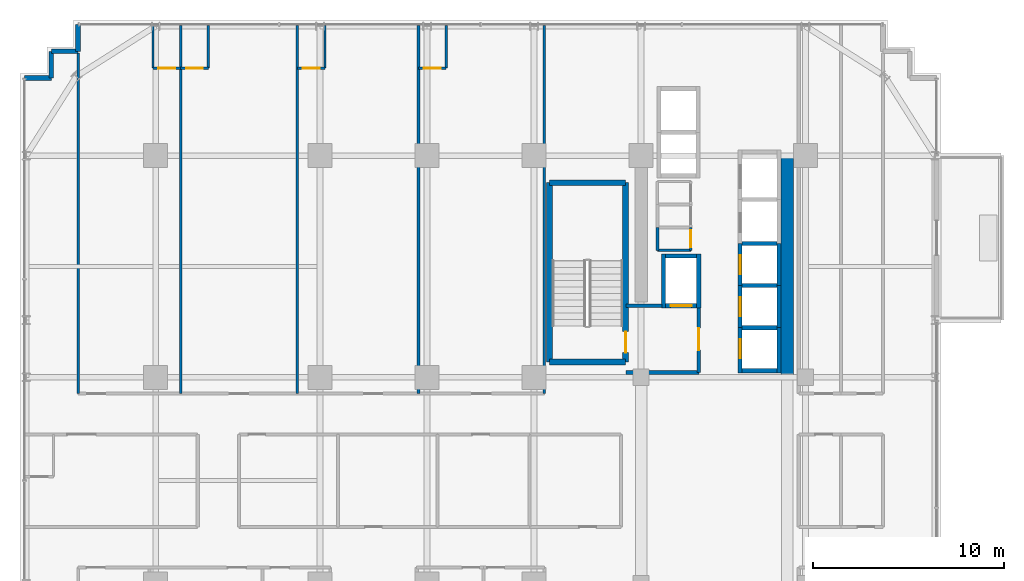
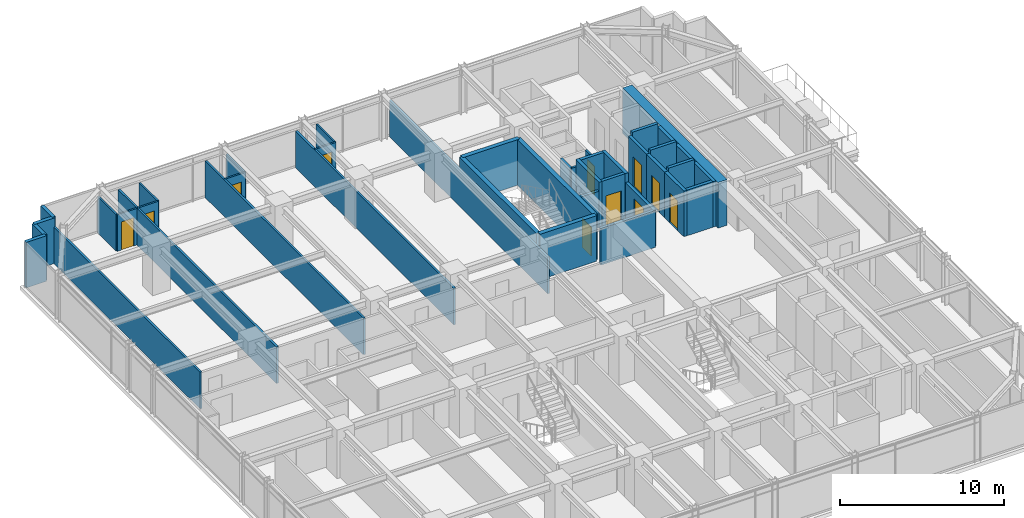
# One storey, part 29 of 33: 42 walls, 11 doors, 11 openings.
"""IFC4 building model written with IfcOpenShell, lengths in metres."""

from ifc_helpers import new_model, si_unit, direction, frame, frame_2d, origin, place, context, subcontext, project, spatial, rectangle, extrude, source, transform, mapped, material, layer, layer_set, type_object, element, fill, save


model = new_model("IFC4")

# Units and contexts
model_context = context("Model", 3, precision=1e-05, world=origin(), true_north=direction((0.0, 1.0)))
body_context = subcontext(model_context, "Body", "Model", "MODEL_VIEW")
ifc_project = project(units=[si_unit("LENGTHUNIT", "METRE"), si_unit("AREAUNIT", "SQUARE_METRE"), si_unit("VOLUMEUNIT", "CUBIC_METRE"), si_unit("PLANEANGLEUNIT", "RADIAN"), si_unit("MASSUNIT", "GRAM", prefix="KILO")], contexts=[model_context])

# Site, building, storey
site_placement = place(None, origin())
site = spatial("IfcSite", under=ifc_project, at=site_placement, CompositionType="ELEMENT")
building_placement = place(site_placement, origin())
building = spatial("IfcBuilding", under=site, at=building_placement, Name="Nahalor Promenade Grand Hotel", CompositionType="ELEMENT")
storey_placement = place(building_placement, frame((0.0, 0.0, 132.10009765625)))
storey = spatial("IfcBuildingStorey", under=building, at=storey_placement, Name="L33", CompositionType="ELEMENT", Elevation=132.10009765625)

# Walls
ifc_material_1 = material(Name="Concrete B-60 (C50/60)", Category="concrete")
ifc_layer_1 = layer(ifc_material_1, 0.64990234375)
ifc_layer_set_1 = layer_set([ifc_layer_1], Name="Concrete B-60 (C50/60)")
wall_type_1 = type_object("IfcWallType", Name="Wall-CoreShear-650", PredefinedType="SHEAR", material=ifc_layer_set_1)
shared_shape_1 = source(origin(), body_context, "Body", "SweptSolid", [
    extrude(rectangle(XDim=11.60009765625, YDim=0.64990234375, at=frame_2d((5.800048828125, 0.0))), origin(), (0.0, 0.0, 1.0), 3.3798828125),
])
wall_1_placement = place(storey_placement, frame((16.050048828125, 5.39990234375, 0.0), z_axis=(0.0, 0.0, 1.0), x_axis=(0.0, 1.0, 0.0)))
element("IfcWall", 1, at=wall_1_placement, inside=storey, type_object=wall_type_1, Name="CWALL-L33-NE", PredefinedType="SHEAR", context=body_context, shape_type="MappedRepresentation", body=[
    mapped(shared_shape_1, transform((0.0, 0.0, 0.0), scale=1.0)),
])
ifc_material_2 = material(Name="Concrete B-50 (C40/50)", Category="concrete")
ifc_layer_2 = layer(ifc_material_2, 0.300048828125)
ifc_layer_set_2 = layer_set([ifc_layer_2], Name="Concrete B-50 (C40/50)")
wall_type_2 = type_object("IfcWallType", Name="Wall-ShaftShear-300", PredefinedType="SHEAR", material=ifc_layer_set_2)
shared_shape_2 = source(origin(), body_context, "Body", "SweptSolid", [
    extrude(rectangle(XDim=3.97998046875, YDim=0.300048828125, at=frame_2d((1.989990234375, 0.0))), origin(), (0.0, 0.0, 1.0), 3.3798828125),
])
for number, where, z_axis, x_axis, name in (
    (2, (3.610107421875, 6.2099609375, 0.0), (0.0, 0.0, 1.0), (1.0, 0.0, 0.0), "L33 Exit Stair ST1 Shaft Wall S"),
    (3, (3.610107421875, 15.590087890625, 0.0), (0.0, 0.0, 1.0), (1.0, 0.0, 0.0), "L33 Exit Stair ST1 Shaft Wall N"),
):
    element("IfcWall", number, at=place(storey_placement, frame(where, z_axis=z_axis, x_axis=x_axis)), inside=storey, type_object=wall_type_2, Name=name, PredefinedType="SHEAR", context=body_context, shape_type="MappedRepresentation", body=[
        mapped(shared_shape_2, transform((0.0, 0.0, 0.0), scale=1.0)),
    ])
shared_shape_3 = source(origin(), body_context, "Body", "SweptSolid", [
    extrude(rectangle(XDim=9.380126953125, YDim=0.300048828125, at=frame_2d((4.68994140625, 0.0))), origin(), (0.0, 0.0, 1.0), 3.3798828125),
])
wall_2_placement = place(storey_placement, frame((3.610107421875, 6.2099609375, 0.0), z_axis=(0.0, 0.0, 1.0), x_axis=(0.0, 1.0, 0.0)))
element("IfcWall", 4, at=wall_2_placement, inside=storey, type_object=wall_type_2, Name="L33 Exit Stair ST1 Shaft Wall W", PredefinedType="SHEAR", context=body_context, shape_type="MappedRepresentation", body=[
    mapped(shared_shape_3, transform((0.0, 0.0, 0.0), scale=1.0)),
])

# Wall, opening, door
wall_3_placement = place(storey_placement, frame((7.590087890625, 6.2099609375, 0.0), z_axis=(0.0, 0.0, 1.0), x_axis=(0.0, 1.0, 0.0)))
wall_3 = element("IfcWall", 5, at=wall_3_placement, inside=storey, type_object=wall_type_2, Name="L33 Exit Stair ST1 Shaft Wall E", PredefinedType="SHEAR", context=body_context, shape_type="MappedRepresentation", body=[
    mapped(shared_shape_3, transform((0.0, 0.0, 0.0), scale=1.0)),
])
opening_1_placement = place(wall_3_placement, frame((0.489990234375, 0.0, 0.0)))
opening_1 = element("IfcOpeningElement", 6, at=opening_1_placement, cuts=wall_3, Name="Opening D-ST1", PredefinedType="OPENING", context=body_context, shape_type="SweptSolid", body=[
    extrude(rectangle(XDim=1.10009765625, YDim=2.14990234375, at=frame_2d((0.550048828125, 1.074951171875))), frame((0.0, 0.159912109375, 0.0), z_axis=(0.0, -1.0, 0.0), x_axis=(1.0, 0.0, 0.0)), (0.0, 0.0, 1.0), 0.320068359375),
])
ifc_material_3 = material(Name="Steel S355JR", Category="steel")
door_type_1 = type_object("IfcDoorType", Name="Door-StairFire-1100", OperationType="NOTDEFINED", PredefinedType="DOOR", material=ifc_material_3)
shared_shape_4 = source(origin(), body_context, "Body", "SweptSolid", [
    extrude(rectangle(XDim=1.10009765625, YDim=2.14990234375, at=frame_2d((0.550048828125, 1.074951171875))), frame((0.0, 0.02490234375, 0.0), z_axis=(0.0, -1.0, 0.0), x_axis=(1.0, 0.0, 0.0)), (0.0, 0.0, 1.0), 0.050048828125),
])
door_1_placement = place(opening_1_placement, origin())
door_1 = element("IfcDoor", 7, at=door_1_placement, inside=storey, type_object=door_type_1, Name="DR-STAIR-ST1-L33", OperationType="SINGLE_SWING_RIGHT", OverallHeight=2.14990234375, OverallWidth=1.10009765625, PredefinedType="DOOR", context=body_context, shape_type="MappedRepresentation", body=[
    mapped(shared_shape_4, transform((0.0, 0.0, 0.0), scale=1.0)),
])
fill(opening_1, door_1)

# Walls
ifc_layer_3 = layer(ifc_material_2, 0.219970703125)
ifc_layer_set_3 = layer_set([ifc_layer_3], Name="Concrete B-50 (C40/50)")
wall_type_3 = type_object("IfcWallType", Name="Wall-LiftShaft-220", PredefinedType="SHEAR", material=ifc_layer_set_3)
shared_shape_5 = source(origin(), body_context, "Body", "SweptSolid", [
    extrude(rectangle(XDim=1.820068359375, YDim=0.219970703125, at=frame_2d((0.91015625, 0.0))), origin(), (0.0, 0.0, 1.0), 3.64990234375),
])
for number, where, z_axis, x_axis, name in (
    (8, (13.68994140625, 8.0, 0.0), (0.0, 0.0, 1.0), (1.0, 0.0, 0.0), "L33 Lift PL1 Hoistway Wall N"),
    (9, (13.68994140625, 10.199951171875, 0.0), (0.0, 0.0, 1.0), (1.0, 0.0, 0.0), "L33 Lift PL2 Hoistway Wall N"),
    (10, (13.68994140625, 12.39990234375, 0.0), (0.0, 0.0, 1.0), (1.0, 0.0, 0.0), "L33 Lift PL3 Hoistway Wall N"),
):
    element("IfcWall", number, at=place(storey_placement, frame(where, z_axis=z_axis, x_axis=x_axis)), inside=storey, type_object=wall_type_3, Name=name, PredefinedType="SHEAR", context=body_context, shape_type="MappedRepresentation", body=[
        mapped(shared_shape_5, transform((0.0, 0.0, 0.0), scale=1.0)),
    ])

# Wall, opening, door
shared_shape_6 = source(origin(), body_context, "Body", "SweptSolid", [
    extrude(rectangle(XDim=2.360107421875, YDim=0.219970703125, at=frame_2d((1.18017578125, 0.0))), origin(), (0.0, 0.0, 1.0), 3.3798828125),
])
wall_4_placement = place(storey_placement, frame((13.580078125, 5.639892578125, 0.0), z_axis=(0.0, 0.0, 1.0), x_axis=(0.0, 1.0, 0.0)))
wall_4 = element("IfcWall", 11, at=wall_4_placement, inside=storey, type_object=wall_type_3, Name="L33 Lift PL1 Hoistway Wall W", PredefinedType="SHEAR", context=body_context, shape_type="MappedRepresentation", body=[
    mapped(shared_shape_6, transform((0.0, 0.0, 0.0), scale=1.0)),
])
opening_2_placement = place(wall_4_placement, frame((0.760009765625, 0.0, 0.0)))
opening_2 = element("IfcOpeningElement", 12, at=opening_2_placement, cuts=wall_4, Name="Opening LD-01", PredefinedType="OPENING", context=body_context, shape_type="SweptSolid", body=[
    extrude(rectangle(XDim=1.0, YDim=2.199951171875, at=frame_2d((0.5, 1.10009765625))), frame((0.0, 0.119873046875, 0.0), z_axis=(0.0, -1.0, 0.0), x_axis=(1.0, 0.0, 0.0)), (0.0, 0.0, 1.0), 0.239990234375),
])
door_type_2 = type_object("IfcDoorType", Name="Door-LiftLanding-1000", OperationType="DOUBLE_DOOR_SLIDING", PredefinedType="DOOR", material=ifc_material_3)
shared_shape_7 = source(origin(), body_context, "Body", "SweptSolid", [
    extrude(rectangle(XDim=1.0, YDim=2.199951171875, at=frame_2d((0.5, 1.10009765625))), frame((0.0, 0.02490234375, 0.0), z_axis=(0.0, -1.0, 0.0), x_axis=(1.0, 0.0, 0.0)), (0.0, 0.0, 1.0), 0.050048828125),
])
door_2_placement = place(opening_2_placement, origin())
door_2 = element("IfcDoor", 13, at=door_2_placement, inside=storey, type_object=door_type_2, Name="DR-LIFT-PL1-L33", OperationType="DOUBLE_DOOR_SLIDING", OverallHeight=2.199951171875, OverallWidth=1.0, PredefinedType="DOOR", context=body_context, shape_type="MappedRepresentation", body=[
    mapped(shared_shape_7, transform((0.0, 0.0, 0.0), scale=1.0)),
])
fill(opening_2, door_2)

# Walls
wall_5_placement = place(storey_placement, frame((15.6201171875, 5.639892578125, 0.0), z_axis=(0.0, 0.0, 1.0), x_axis=(0.0, 1.0, 0.0)))
element("IfcWall", 14, at=wall_5_placement, inside=storey, type_object=wall_type_3, Name="L33 Lift PL1 Hoistway Wall E", PredefinedType="SHEAR", context=body_context, shape_type="MappedRepresentation", body=[
    mapped(shared_shape_6, transform((0.0, 0.0, 0.0), scale=1.0)),
])
shared_shape_8 = source(origin(), body_context, "Body", "SweptSolid", [
    extrude(rectangle(XDim=1.820068359375, YDim=0.219970703125, at=frame_2d((0.91015625, 0.0))), origin(), (0.0, 0.0, 1.0), 3.3798828125),
])
wall_6_placement = place(storey_placement, frame((13.68994140625, 5.75, 0.0), z_axis=(0.0, 0.0, 1.0), x_axis=(1.0, 0.0, 0.0)))
element("IfcWall", 15, at=wall_6_placement, inside=storey, type_object=wall_type_3, Name="L33 Lift PL1 Hoistway Wall S", PredefinedType="SHEAR", context=body_context, shape_type="MappedRepresentation", body=[
    mapped(shared_shape_8, transform((0.0, 0.0, 0.0), scale=1.0)),
])

# Wall, opening, door
shared_shape_9 = source(origin(), body_context, "Body", "SweptSolid", [
    extrude(rectangle(XDim=2.199951171875, YDim=0.219970703125, at=frame_2d((1.10009765625, 0.0))), origin(), (0.0, 0.0, 1.0), 3.3798828125),
])
wall_7_placement = place(storey_placement, frame((13.580078125, 8.0, 0.0), z_axis=(0.0, 0.0, 1.0), x_axis=(0.0, 1.0, 0.0)))
wall_7 = element("IfcWall", 16, at=wall_7_placement, inside=storey, type_object=wall_type_3, Name="L33 Lift PL2 Hoistway Wall W", PredefinedType="SHEAR", context=body_context, shape_type="MappedRepresentation", body=[
    mapped(shared_shape_9, transform((0.0, 0.0, 0.0), scale=1.0)),
])
opening_3_placement = place(wall_7_placement, frame((0.60009765625, 0.0, 0.0)))
opening_3 = element("IfcOpeningElement", 17, at=opening_3_placement, cuts=wall_7, Name="Opening LD-01", PredefinedType="OPENING", context=body_context, shape_type="SweptSolid", body=[
    extrude(rectangle(XDim=1.0, YDim=2.199951171875, at=frame_2d((0.5, 1.10009765625))), frame((0.0, 0.119873046875, 0.0), z_axis=(0.0, -1.0, 0.0), x_axis=(1.0, 0.0, 0.0)), (0.0, 0.0, 1.0), 0.239990234375),
])
door_3_placement = place(opening_3_placement, origin())
door_3 = element("IfcDoor", 18, at=door_3_placement, inside=storey, type_object=door_type_2, Name="DR-LIFT-PL2-L33", OperationType="DOUBLE_DOOR_SLIDING", OverallHeight=2.199951171875, OverallWidth=1.0, PredefinedType="DOOR", context=body_context, shape_type="MappedRepresentation", body=[
    mapped(shared_shape_7, transform((0.0, 0.0, 0.0), scale=1.0)),
])
fill(opening_3, door_3)

# Wall
wall_8_placement = place(storey_placement, frame((15.6201171875, 8.0, 0.0), z_axis=(0.0, 0.0, 1.0), x_axis=(0.0, 1.0, 0.0)))
element("IfcWall", 19, at=wall_8_placement, inside=storey, type_object=wall_type_3, Name="L33 Lift PL2 Hoistway Wall E", PredefinedType="SHEAR", context=body_context, shape_type="MappedRepresentation", body=[
    mapped(shared_shape_9, transform((0.0, 0.0, 0.0), scale=1.0)),
])

# Wall, opening, door
wall_9_placement = place(storey_placement, frame((13.580078125, 10.199951171875, 0.0), z_axis=(0.0, 0.0, 1.0), x_axis=(0.0, 1.0, 0.0)))
wall_9 = element("IfcWall", 20, at=wall_9_placement, inside=storey, type_object=wall_type_3, Name="L33 Lift PL3 Hoistway Wall W", PredefinedType="SHEAR", context=body_context, shape_type="MappedRepresentation", body=[
    mapped(shared_shape_9, transform((0.0, 0.0, 0.0), scale=1.0)),
])
opening_4_placement = place(wall_9_placement, frame((0.60009765625, 0.0, 0.0)))
opening_4 = element("IfcOpeningElement", 21, at=opening_4_placement, cuts=wall_9, Name="Opening LD-01", PredefinedType="OPENING", context=body_context, shape_type="SweptSolid", body=[
    extrude(rectangle(XDim=1.0, YDim=2.199951171875, at=frame_2d((0.5, 1.10009765625))), frame((0.0, 0.119873046875, 0.0), z_axis=(0.0, -1.0, 0.0), x_axis=(1.0, 0.0, 0.0)), (0.0, 0.0, 1.0), 0.239990234375),
])
door_4_placement = place(opening_4_placement, origin())
door_4 = element("IfcDoor", 22, at=door_4_placement, inside=storey, type_object=door_type_2, Name="DR-LIFT-PL3-L33", OperationType="DOUBLE_DOOR_SLIDING", OverallHeight=2.199951171875, OverallWidth=1.0, PredefinedType="DOOR", context=body_context, shape_type="MappedRepresentation", body=[
    mapped(shared_shape_7, transform((0.0, 0.0, 0.0), scale=1.0)),
])
fill(opening_4, door_4)

# Walls
wall_10_placement = place(storey_placement, frame((15.6201171875, 10.199951171875, 0.0), z_axis=(0.0, 0.0, 1.0), x_axis=(0.0, 1.0, 0.0)))
element("IfcWall", 23, at=wall_10_placement, inside=storey, type_object=wall_type_3, Name="L33 Lift PL3 Hoistway Wall E", PredefinedType="SHEAR", context=body_context, shape_type="MappedRepresentation", body=[
    mapped(shared_shape_9, transform((0.0, 0.0, 0.0), scale=1.0)),
])
shared_shape_10 = source(origin(), body_context, "Body", "SweptSolid", [
    extrude(rectangle(XDim=2.820068359375, YDim=0.219970703125, at=frame_2d((1.41015625, 0.0))), origin(), (0.0, 0.0, 1.0), 3.3798828125),
])
for number, where, z_axis, x_axis, name in (
    (24, (9.580078125, 9.0400390625, 0.0), (0.0, 0.0, 1.0), (0.0, 1.0, 0.0), "L33 Lift FL1 Hoistway Wall W"),
    (25, (11.419921875, 9.0400390625, 0.0), (0.0, 0.0, 1.0), (0.0, 1.0, 0.0), "L33 Lift FL1 Hoistway Wall E"),
):
    element("IfcWall", number, at=place(storey_placement, frame(where, z_axis=z_axis, x_axis=x_axis)), inside=storey, type_object=wall_type_3, Name=name, PredefinedType="SHEAR", context=body_context, shape_type="MappedRepresentation", body=[
        mapped(shared_shape_10, transform((0.0, 0.0, 0.0), scale=1.0)),
    ])

# Wall, opening, door
shared_shape_11 = source(origin(), body_context, "Body", "SweptSolid", [
    extrude(rectangle(XDim=1.6201171875, YDim=0.219970703125, at=frame_2d((0.81005859375, 0.0))), origin(), (0.0, 0.0, 1.0), 3.3798828125),
])
wall_11_placement = place(storey_placement, frame((9.68994140625, 9.14990234375, 0.0), z_axis=(0.0, 0.0, 1.0), x_axis=(1.0, 0.0, 0.0)))
wall_11 = element("IfcWall", 26, at=wall_11_placement, inside=storey, type_object=wall_type_3, Name="L33 Lift FL1 Hoistway Wall S", PredefinedType="SHEAR", context=body_context, shape_type="MappedRepresentation", body=[
    mapped(shared_shape_11, transform((0.0, 0.0, 0.0), scale=1.0)),
])
opening_5_placement = place(wall_11_placement, frame((0.260009765625, 0.0, 0.0)))
opening_5 = element("IfcOpeningElement", 27, at=opening_5_placement, cuts=wall_11, Name="Opening LD-02", PredefinedType="OPENING", context=body_context, shape_type="SweptSolid", body=[
    extrude(rectangle(XDim=1.10009765625, YDim=2.199951171875, at=frame_2d((0.550048828125, 1.10009765625))), frame((0.0, 0.119873046875, 0.0), z_axis=(0.0, -1.0, 0.0), x_axis=(1.0, 0.0, 0.0)), (0.0, 0.0, 1.0), 0.239990234375),
])
door_type_3 = type_object("IfcDoorType", Name="Door-LiftFF-1100", OperationType="DOUBLE_DOOR_SLIDING", PredefinedType="DOOR", material=ifc_material_3)
shared_shape_12 = source(origin(), body_context, "Body", "SweptSolid", [
    extrude(rectangle(XDim=1.10009765625, YDim=2.199951171875, at=frame_2d((0.550048828125, 1.10009765625))), frame((0.0, 0.02490234375, 0.0), z_axis=(0.0, -1.0, 0.0), x_axis=(1.0, 0.0, 0.0)), (0.0, 0.0, 1.0), 0.050048828125),
])
door_5_placement = place(opening_5_placement, frame((1.10009765625, 0.0, 0.0), z_axis=(0.0, 0.0, 1.0), x_axis=(-1.0, 0.0, 0.0)))
door_5 = element("IfcDoor", 28, at=door_5_placement, inside=storey, type_object=door_type_3, Name="DR-LIFT-FL1-L33", OperationType="DOUBLE_DOOR_SLIDING", OverallHeight=2.199951171875, OverallWidth=1.10009765625, PredefinedType="DOOR", context=body_context, shape_type="MappedRepresentation", body=[
    mapped(shared_shape_12, transform((0.0, 0.0, 0.0), scale=1.0)),
])
fill(opening_5, door_5)

# Walls
wall_12_placement = place(storey_placement, frame((9.68994140625, 11.75, 0.0), z_axis=(0.0, 0.0, 1.0), x_axis=(1.0, 0.0, 0.0)))
element("IfcWall", 29, at=wall_12_placement, inside=storey, type_object=wall_type_3, Name="L33 Lift FL1 Hoistway Wall N", PredefinedType="SHEAR", context=body_context, shape_type="MappedRepresentation", body=[
    mapped(shared_shape_11, transform((0.0, 0.0, 0.0), scale=1.0)),
])
ifc_material_4 = material(Name="Concrete B-40 (C32/40)", Category="concrete")
ifc_layer_4 = layer(ifc_material_4, 0.25)
ifc_layer_set_4 = layer_set([ifc_layer_4], Name="Concrete B-40 (C32/40)")
wall_type_4 = type_object("IfcWallType", Name="Wall-BronzePier-250", PredefinedType="STANDARD", material=ifc_layer_set_4)
shared_shape_13 = source(origin(), body_context, "Body", "SweptSolid", [
    extrude(rectangle(XDim=1.400146484375, YDim=0.25, at=frame_2d((0.7001953125, 0.0))), origin(), (0.0, 0.0, 1.0), 3.3798828125),
])
for number, where, z_axis, x_axis, name in (
    (30, (-21.06005859375, 22.4599609375, 0.0), (0.0, 0.0, 1.0), (0.0, 1.0, 0.0), "W-L33-SR-09"),
    (31, (-23.860107421875, 21.06005859375, 0.0), (0.0, 0.0, 1.0), (1.0, 0.0, 0.0), "W-L33-SR-12"),
):
    element("IfcWall", number, at=place(storey_placement, frame(where, z_axis=z_axis, x_axis=x_axis)), inside=storey, type_object=wall_type_4, Name=name, PredefinedType="STANDARD", context=body_context, shape_type="MappedRepresentation", body=[
        mapped(shared_shape_13, transform((0.0, 0.0, 0.0), scale=1.0)),
    ])
shared_shape_14 = source(origin(), body_context, "Body", "SweptSolid", [
    extrude(rectangle(XDim=1.39990234375, YDim=0.25, at=frame_2d((0.699951171875, 0.0))), origin(), (0.0, 0.0, 1.0), 3.3798828125),
])
for number, where, z_axis, x_axis, name in (
    (32, (-22.4599609375, 22.4599609375, 0.0), (0.0, 0.0, 1.0), (1.0, 0.0, 0.0), "W-L33-SR-10"),
    (33, (-22.4599609375, 21.06005859375, 0.0), (0.0, 0.0, 1.0), (0.0, 1.0, 0.0), "W-L33-SR-11"),
):
    element("IfcWall", number, at=place(storey_placement, frame(where, z_axis=z_axis, x_axis=x_axis)), inside=storey, type_object=wall_type_4, Name=name, PredefinedType="STANDARD", context=body_context, shape_type="MappedRepresentation", body=[
        mapped(shared_shape_14, transform((0.0, 0.0, 0.0), scale=1.0)),
    ])
ifc_layer_5 = layer(ifc_material_4, 0.199951171875)
ifc_layer_set_5 = layer_set([ifc_layer_5], Name="Concrete B-40 (C32/40)")
wall_type_5 = type_object("IfcWallType", Name="Wall-PartFire-200", PredefinedType="PARTITIONING", material=ifc_layer_set_5)
shared_shape_15 = source(origin(), body_context, "Body", "SweptSolid", [
    extrude(rectangle(XDim=3.81982421875, YDim=0.199951171875, at=frame_2d((1.909912109375, 0.0))), origin(), (0.0, 0.0, 1.0), 2.719970703125),
])
wall_13_placement = place(storey_placement, frame((7.60009765625, 5.64990234375, 0.0), z_axis=(0.0, 0.0, 1.0), x_axis=(1.0, 0.0, 0.0)))
element("IfcWall", 34, at=wall_13_placement, inside=storey, type_object=wall_type_5, Name="W-L33-FF1-S", PredefinedType="PARTITIONING", context=body_context, shape_type="MappedRepresentation", body=[
    mapped(shared_shape_15, transform((0.0, 0.0, 0.0), scale=1.0)),
])
shared_shape_16 = source(origin(), body_context, "Body", "SweptSolid", [
    extrude(rectangle(XDim=1.89990234375, YDim=0.199951171875, at=frame_2d((0.949951171875, 0.0))), origin(), (0.0, 0.0, 1.0), 2.719970703125),
])
wall_14_placement = place(storey_placement, frame((7.60009765625, 9.14990234375, 0.0), z_axis=(0.0, 0.0, 1.0), x_axis=(1.0, 0.0, 0.0)))
element("IfcWall", 35, at=wall_14_placement, inside=storey, type_object=wall_type_5, Name="W-L33-FF1-N", PredefinedType="PARTITIONING", context=body_context, shape_type="MappedRepresentation", body=[
    mapped(shared_shape_16, transform((0.0, 0.0, 0.0), scale=1.0)),
])

# Wall, opening, door
shared_shape_17 = source(origin(), body_context, "Body", "SweptSolid", [
    extrude(rectangle(XDim=3.5, YDim=0.199951171875, at=frame_2d((1.75, 0.0))), origin(), (0.0, 0.0, 1.0), 2.719970703125),
])
wall_15_placement = place(storey_placement, frame((11.419921875, 5.64990234375, 0.0), z_axis=(0.0, 0.0, 1.0), x_axis=(0.0, 1.0, 0.0)))
wall_15 = element("IfcWall", 36, at=wall_15_placement, inside=storey, type_object=wall_type_5, Name="W-L33-FF1-E", PredefinedType="PARTITIONING", context=body_context, shape_type="MappedRepresentation", body=[
    mapped(shared_shape_17, transform((0.0, 0.0, 0.0), scale=1.0)),
])
opening_6_placement = place(wall_15_placement, frame((1.175048828125, 0.0, 0.0)))
opening_6 = element("IfcOpeningElement", 37, at=opening_6_placement, cuts=wall_15, Name="Opening D-FF1", PredefinedType="OPENING", context=body_context, shape_type="SweptSolid", body=[
    extrude(rectangle(XDim=1.14990234375, YDim=2.14990234375, at=frame_2d((0.574951171875, 1.074951171875))), frame((0.0, 0.10986328125, 0.0), z_axis=(0.0, -1.0, 0.0), x_axis=(1.0, 0.0, 0.0)), (0.0, 0.0, 1.0), 0.219970703125),
])
door_type_4 = type_object("IfcDoorType", Name="Door-FFLobby-1150", OperationType="NOTDEFINED", PredefinedType="DOOR", material=ifc_material_3)
shared_shape_18 = source(origin(), body_context, "Body", "SweptSolid", [
    extrude(rectangle(XDim=1.14990234375, YDim=2.14990234375, at=frame_2d((0.574951171875, 1.074951171875))), frame((0.0, 0.02490234375, 0.0), z_axis=(0.0, -1.0, 0.0), x_axis=(1.0, 0.0, 0.0)), (0.0, 0.0, 1.0), 0.050048828125),
])
door_6_placement = place(opening_6_placement, frame((1.14990234375, 0.0, 0.0), z_axis=(0.0, 0.0, 1.0), x_axis=(-1.0, 0.0, 0.0)))
door_6 = element("IfcDoor", 38, at=door_6_placement, inside=storey, type_object=door_type_4, Name="DR-L33-FFL1", OperationType="SINGLE_SWING_RIGHT", OverallHeight=2.14990234375, OverallWidth=1.14990234375, PredefinedType="DOOR", context=body_context, shape_type="MappedRepresentation", body=[
    mapped(shared_shape_18, transform((0.0, 0.0, 0.0), scale=1.0)),
])
fill(opening_6, door_6)

# Walls
ifc_material_5 = material(Name="Acoustic Mineral Gypsum", Category="gypsum")
ifc_layer_6 = layer(ifc_material_5, 0.14990234375)
ifc_layer_set_6 = layer_set([ifc_layer_6], Name="Acoustic Mineral Gypsum")
wall_type_6 = type_object("IfcWallType", Name="Wall-PartService-150", PredefinedType="PARTITIONING", material=ifc_layer_set_6)
shared_shape_19 = source(origin(), body_context, "Body", "SweptSolid", [
    extrude(rectangle(XDim=1.75, YDim=0.14990234375, at=frame_2d((0.875, 0.0))), origin(), (0.0, 0.0, 1.0), 2.719970703125),
])
wall_16_placement = place(storey_placement, frame((9.25, 12.050048828125, 0.0), z_axis=(0.0, 0.0, 1.0), x_axis=(1.0, 0.0, 0.0)))
element("IfcWall", 39, at=wall_16_placement, inside=storey, type_object=wall_type_6, Name="W-L33-CK3A-S", PredefinedType="PARTITIONING", context=body_context, shape_type="MappedRepresentation", body=[
    mapped(shared_shape_19, transform((0.0, 0.0, 0.0), scale=1.0)),
])
shared_shape_20 = source(origin(), body_context, "Body", "SweptSolid", [
    extrude(rectangle(XDim=1.199951171875, YDim=0.14990234375, at=frame_2d((0.60009765625, 0.0))), origin(), (0.0, 0.0, 1.0), 2.719970703125),
])
wall_17_placement = place(storey_placement, frame((9.25, 12.050048828125, 0.0), z_axis=(0.0, 0.0, 1.0), x_axis=(0.0, 1.0, 0.0)))
element("IfcWall", 40, at=wall_17_placement, inside=storey, type_object=wall_type_6, Name="W-L33-CK3A-W", PredefinedType="PARTITIONING", context=body_context, shape_type="MappedRepresentation", body=[
    mapped(shared_shape_20, transform((0.0, 0.0, 0.0), scale=1.0)),
])

# Wall, opening, door
wall_18_placement = place(storey_placement, frame((11.0, 12.050048828125, 0.0), z_axis=(0.0, 0.0, 1.0), x_axis=(0.0, 1.0, 0.0)))
wall_18 = element("IfcWall", 41, at=wall_18_placement, inside=storey, type_object=wall_type_6, Name="W-L33-CK3A-E", PredefinedType="PARTITIONING", context=body_context, shape_type="MappedRepresentation", body=[
    mapped(shared_shape_20, transform((0.0, 0.0, 0.0), scale=1.0)),
])
opening_7_placement = place(wall_18_placement, frame((0.159912109375, 0.0, 0.0)))
opening_7 = element("IfcOpeningElement", 42, at=opening_7_placement, cuts=wall_18, Name="Opening D-03", PredefinedType="OPENING", context=body_context, shape_type="SweptSolid", body=[
    extrude(rectangle(XDim=0.8798828125, YDim=2.10009765625, at=frame_2d((0.43994140625, 1.050048828125))), frame((0.0, 0.0849609375, 0.0), z_axis=(0.0, -1.0, 0.0), x_axis=(1.0, 0.0, 0.0)), (0.0, 0.0, 1.0), 0.169921875),
])
ifc_material_6 = material(Name="Fire-Rated Timber Composite", Category="wood")
door_type_5 = type_object("IfcDoorType", Name="Door-BathSwing-880", OperationType="NOTDEFINED", PredefinedType="DOOR", material=ifc_material_6)
shared_shape_21 = source(origin(), body_context, "Body", "SweptSolid", [
    extrude(rectangle(XDim=0.8798828125, YDim=2.10009765625, at=frame_2d((0.43994140625, 1.050048828125))), frame((0.0, 0.02490234375, 0.0), z_axis=(0.0, -1.0, 0.0), x_axis=(1.0, 0.0, 0.0)), (0.0, 0.0, 1.0), 0.050048828125),
])
door_7_placement = place(opening_7_placement, origin())
door_7 = element("IfcDoor", 43, at=door_7_placement, inside=storey, type_object=door_type_5, Name="DR-L33-CK3A", OperationType="SINGLE_SWING_RIGHT", OverallHeight=2.10009765625, OverallWidth=0.8798828125, PredefinedType="DOOR", context=body_context, shape_type="MappedRepresentation", body=[
    mapped(shared_shape_21, transform((0.0, 0.0, 0.0), scale=1.0)),
])
fill(opening_7, door_7)

# Walls
ifc_layer_7 = layer(ifc_material_5, 0.139892578125)
ifc_layer_set_7 = layer_set([ifc_layer_7], Name="Acoustic Mineral Gypsum")
wall_type_7 = type_object("IfcWallType", Name="Wall-PartSuite-140", PredefinedType="PARTITIONING", material=ifc_layer_set_7)
shared_shape_22 = source(origin(), body_context, "Body", "SweptSolid", [
    extrude(rectangle(XDim=17.829833984375, YDim=0.139892578125, at=frame_2d((8.9150390625, 0.0))), origin(), (0.0, 0.0, 1.0), 2.719970703125),
])
wall_19_placement = place(storey_placement, frame((-21.06005859375, 4.550048828125, 0.0), z_axis=(0.0, 0.0, 1.0), x_axis=(0.0, 1.0, 0.0)))
element("IfcWall", 44, at=wall_19_placement, inside=storey, type_object=wall_type_7, Name="W-L33-NW-ENDW", PredefinedType="PARTITIONING", context=body_context, shape_type="MappedRepresentation", body=[
    mapped(shared_shape_22, transform((0.0, 0.0, 0.0), scale=1.0)),
])
shared_shape_23 = source(origin(), body_context, "Body", "SweptSolid", [
    extrude(rectangle(XDim=19.25, YDim=0.139892578125, at=frame_2d((9.625, 0.0))), origin(), (0.0, 0.0, 1.0), 2.719970703125),
])
for number, where, z_axis, x_axis, name in (
    (45, (3.340087890625, 4.550048828125, 0.0), (0.0, 0.0, 1.0), (0.0, 1.0, 0.0), "W-L33-NW-ENDE"),
    (46, (-15.69189453125, 4.550048828125, 0.0), (0.0, 0.0, 1.0), (0.0, 1.0, 0.0), "W-L33-NP-1"),
    (47, (-9.592041015625, 4.550048828125, 0.0), (0.0, 0.0, 1.0), (0.0, 1.0, 0.0), "W-L33-NP-2"),
    (48, (-3.248046875, 4.550048828125, 0.0), (0.0, 0.0, 1.0), (0.0, 1.0, 0.0), "W-L33-NP-3"),
):
    element("IfcWall", number, at=place(storey_placement, frame(where, z_axis=z_axis, x_axis=x_axis)), inside=storey, type_object=wall_type_7, Name=name, PredefinedType="PARTITIONING", context=body_context, shape_type="MappedRepresentation", body=[
        mapped(shared_shape_23, transform((0.0, 0.0, 0.0), scale=1.0)),
    ])

# Wall, opening, door
ifc_layer_8 = layer(ifc_material_5, 0.1201171875)
ifc_layer_set_8 = layer_set([ifc_layer_8], Name="Acoustic Mineral Gypsum")
wall_type_8 = type_object("IfcWallType", Name="Wall-PartBath-120", PredefinedType="PARTITIONING", material=ifc_layer_set_8)
shared_shape_24 = source(origin(), body_context, "Body", "SweptSolid", [
    extrude(rectangle(XDim=1.4501953125, YDim=0.1201171875, at=frame_2d((0.72509765625, 0.0))), origin(), (0.0, 0.0, 1.0), 2.719970703125),
])
wall_20_placement = place(storey_placement, frame((-17.14208984375, 21.580078125, 0.0), z_axis=(0.0, 0.0, 1.0), x_axis=(1.0, 0.0, 0.0)))
wall_20 = element("IfcWall", 49, at=wall_20_placement, inside=storey, type_object=wall_type_8, Name="W-L33-N1-BH", PredefinedType="PARTITIONING", context=body_context, shape_type="MappedRepresentation", body=[
    mapped(shared_shape_24, transform((0.0, 0.0, 0.0), scale=1.0)),
])
opening_8_placement = place(wall_20_placement, frame((0.284912109375, 0.0, 0.0)))
opening_8 = element("IfcOpeningElement", 50, at=opening_8_placement, cuts=wall_20, Name="Opening D-03", PredefinedType="OPENING", context=body_context, shape_type="SweptSolid", body=[
    extrude(rectangle(XDim=0.8798828125, YDim=2.10009765625, at=frame_2d((0.43994140625, 1.050048828125))), frame((0.0, 0.070068359375, 0.0), z_axis=(0.0, -1.0, 0.0), x_axis=(1.0, 0.0, 0.0)), (0.0, 0.0, 1.0), 0.14013671875),
])
door_8_placement = place(opening_8_placement, origin())
door_8 = element("IfcDoor", 51, at=door_8_placement, inside=storey, type_object=door_type_5, Name="DR-L33-N1-BATH", OperationType="SINGLE_SWING_LEFT", OverallHeight=2.10009765625, OverallWidth=0.8798828125, PredefinedType="DOOR", context=body_context, shape_type="MappedRepresentation", body=[
    mapped(shared_shape_21, transform((0.0, 0.0, 0.0), scale=1.0)),
])
fill(opening_8, door_8)

# Walls
shared_shape_25 = source(origin(), body_context, "Body", "SweptSolid", [
    extrude(rectangle(XDim=2.219970703125, YDim=0.1201171875, at=frame_2d((1.10986328125, 0.0))), origin(), (0.0, 0.0, 1.0), 2.719970703125),
])
for number, where, z_axis, x_axis, name in (
    (52, (-17.14208984375, 21.580078125, 0.0), (0.0, 0.0, 1.0), (0.0, 1.0, 0.0), "W-L33-N1-BV"),
    (53, (-14.241943359375, 21.580078125, 0.0), (0.0, 0.0, 1.0), (0.0, 1.0, 0.0), "W-L33-N2-BV"),
    (54, (-8.14208984375, 21.580078125, 0.0), (0.0, 0.0, 1.0), (0.0, 1.0, 0.0), "W-L33-N3-BV"),
    (55, (-1.798095703125, 21.580078125, 0.0), (0.0, 0.0, 1.0), (0.0, 1.0, 0.0), "W-L33-N4-BV"),
):
    element("IfcWall", number, at=place(storey_placement, frame(where, z_axis=z_axis, x_axis=x_axis)), inside=storey, type_object=wall_type_8, Name=name, PredefinedType="PARTITIONING", context=body_context, shape_type="MappedRepresentation", body=[
        mapped(shared_shape_25, transform((0.0, 0.0, 0.0), scale=1.0)),
    ])

# Wall, opening, door
shared_shape_26 = source(origin(), body_context, "Body", "SweptSolid", [
    extrude(rectangle(XDim=1.449951171875, YDim=0.1201171875, at=frame_2d((0.72509765625, 0.0))), origin(), (0.0, 0.0, 1.0), 2.719970703125),
])
wall_21_placement = place(storey_placement, frame((-15.69189453125, 21.580078125, 0.0), z_axis=(0.0, 0.0, 1.0), x_axis=(1.0, 0.0, 0.0)))
wall_21 = element("IfcWall", 56, at=wall_21_placement, inside=storey, type_object=wall_type_8, Name="W-L33-N2-BH", PredefinedType="PARTITIONING", context=body_context, shape_type="MappedRepresentation", body=[
    mapped(shared_shape_26, transform((0.0, 0.0, 0.0), scale=1.0)),
])
opening_9_placement = place(wall_21_placement, frame((0.284912109375, 0.0, 0.0)))
opening_9 = element("IfcOpeningElement", 57, at=opening_9_placement, cuts=wall_21, Name="Opening D-03", PredefinedType="OPENING", context=body_context, shape_type="SweptSolid", body=[
    extrude(rectangle(XDim=0.8798828125, YDim=2.10009765625, at=frame_2d((0.43994140625, 1.050048828125))), frame((0.0, 0.070068359375, 0.0), z_axis=(0.0, -1.0, 0.0), x_axis=(1.0, 0.0, 0.0)), (0.0, 0.0, 1.0), 0.14013671875),
])
door_9_placement = place(opening_9_placement, origin())
door_9 = element("IfcDoor", 58, at=door_9_placement, inside=storey, type_object=door_type_5, Name="DR-L33-N2-BATH", OperationType="SINGLE_SWING_LEFT", OverallHeight=2.10009765625, OverallWidth=0.8798828125, PredefinedType="DOOR", context=body_context, shape_type="MappedRepresentation", body=[
    mapped(shared_shape_21, transform((0.0, 0.0, 0.0), scale=1.0)),
])
fill(opening_9, door_9)

wall_22_placement = place(storey_placement, frame((-9.592041015625, 21.580078125, 0.0), z_axis=(0.0, 0.0, 1.0), x_axis=(1.0, 0.0, 0.0)))
wall_22 = element("IfcWall", 59, at=wall_22_placement, inside=storey, type_object=wall_type_8, Name="W-L33-N3-BH", PredefinedType="PARTITIONING", context=body_context, shape_type="MappedRepresentation", body=[
    mapped(shared_shape_26, transform((0.0, 0.0, 0.0), scale=1.0)),
])
opening_10_placement = place(wall_22_placement, frame((0.284912109375, 0.0, 0.0)))
opening_10 = element("IfcOpeningElement", 60, at=opening_10_placement, cuts=wall_22, Name="Opening D-03", PredefinedType="OPENING", context=body_context, shape_type="SweptSolid", body=[
    extrude(rectangle(XDim=0.8798828125, YDim=2.10009765625, at=frame_2d((0.43994140625, 1.050048828125))), frame((0.0, 0.070068359375, 0.0), z_axis=(0.0, -1.0, 0.0), x_axis=(1.0, 0.0, 0.0)), (0.0, 0.0, 1.0), 0.14013671875),
])
door_10_placement = place(opening_10_placement, origin())
door_10 = element("IfcDoor", 61, at=door_10_placement, inside=storey, type_object=door_type_5, Name="DR-L33-N3-BATH", OperationType="SINGLE_SWING_LEFT", OverallHeight=2.10009765625, OverallWidth=0.8798828125, PredefinedType="DOOR", context=body_context, shape_type="MappedRepresentation", body=[
    mapped(shared_shape_21, transform((0.0, 0.0, 0.0), scale=1.0)),
])
fill(opening_10, door_10)

wall_23_placement = place(storey_placement, frame((-3.248046875, 21.580078125, 0.0), z_axis=(0.0, 0.0, 1.0), x_axis=(1.0, 0.0, 0.0)))
wall_23 = element("IfcWall", 62, at=wall_23_placement, inside=storey, type_object=wall_type_8, Name="W-L33-N4-BH", PredefinedType="PARTITIONING", context=body_context, shape_type="MappedRepresentation", body=[
    mapped(shared_shape_26, transform((0.0, 0.0, 0.0), scale=1.0)),
])
opening_11_placement = place(wall_23_placement, frame((0.284912109375, 0.0, 0.0)))
opening_11 = element("IfcOpeningElement", 63, at=opening_11_placement, cuts=wall_23, Name="Opening D-03", PredefinedType="OPENING", context=body_context, shape_type="SweptSolid", body=[
    extrude(rectangle(XDim=0.8798828125, YDim=2.10009765625, at=frame_2d((0.43994140625, 1.050048828125))), frame((0.0, 0.070068359375, 0.0), z_axis=(0.0, -1.0, 0.0), x_axis=(1.0, 0.0, 0.0)), (0.0, 0.0, 1.0), 0.14013671875),
])
door_11_placement = place(opening_11_placement, origin())
door_11 = element("IfcDoor", 64, at=door_11_placement, inside=storey, type_object=door_type_5, Name="DR-L33-N4-BATH", OperationType="SINGLE_SWING_LEFT", OverallHeight=2.10009765625, OverallWidth=0.8798828125, PredefinedType="DOOR", context=body_context, shape_type="MappedRepresentation", body=[
    mapped(shared_shape_21, transform((0.0, 0.0, 0.0), scale=1.0)),
])
fill(opening_11, door_11)

save(model, "model.ifc")
